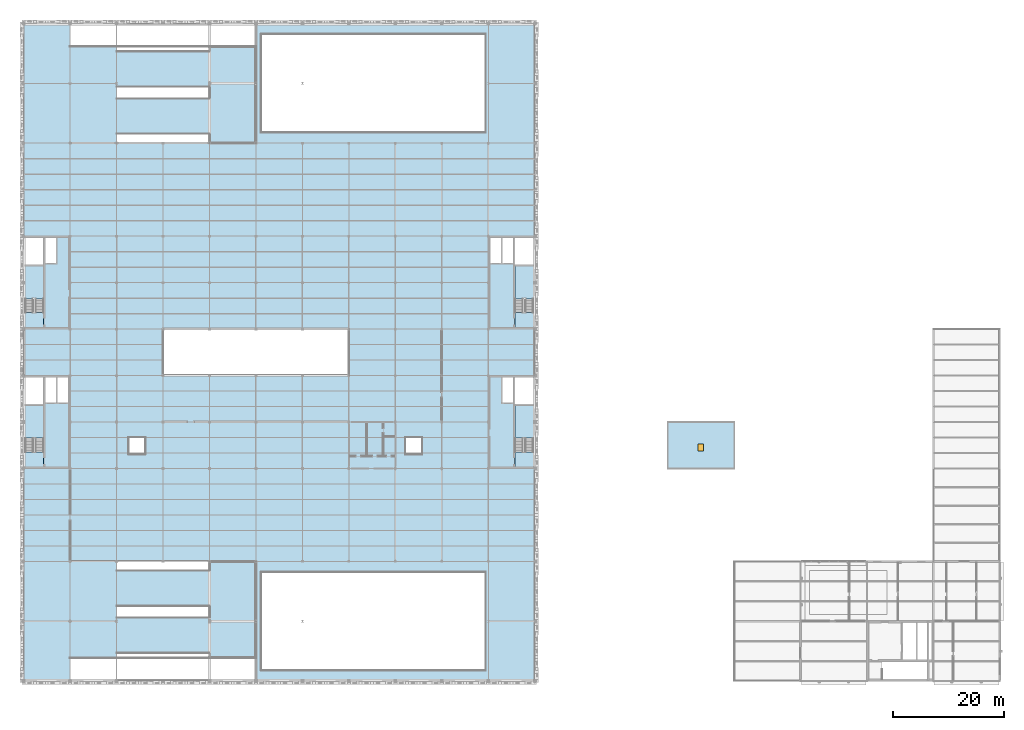
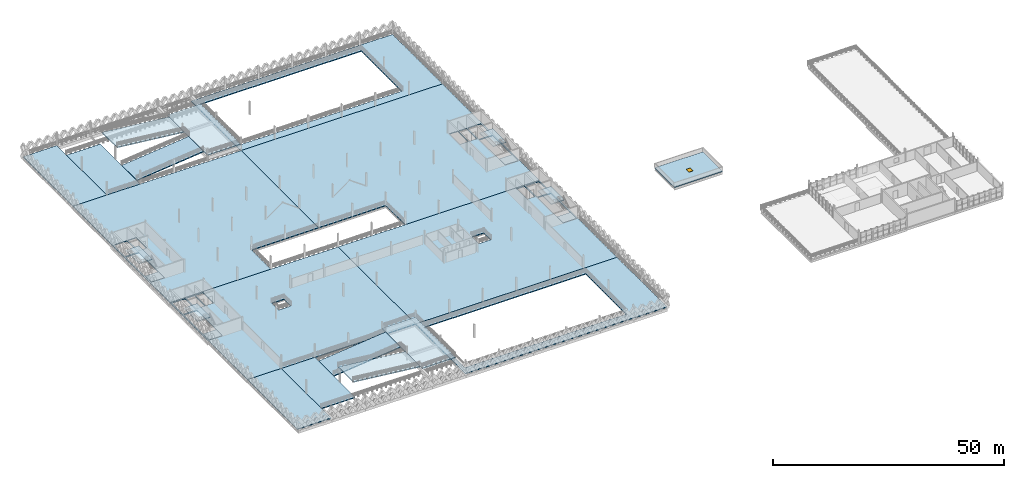
# One storey, part 38 of 62: 25 slabs, 1 door, 1 opening, 4 elements without a shape of their own.
"""IFC4 building model written with IfcOpenShell, lengths in metres."""

from ifc_helpers import new_model, si_unit, direction, frame, origin, origin_2d, place, context, subcontext, project, spatial, polyline, rectangle, outline, extrude, material, layer, layer_set, type_object, element, fill, aggregate, save


model = new_model("IFC4")

# Units and contexts
model_context = context("Model", 3, precision=1e-05, world=origin(), true_north=direction((0.0, 1.0)))
body_context = subcontext(model_context, "Body", "Model", "MODEL_VIEW")
ifc_project = project(units=[si_unit("LENGTHUNIT", "METRE"), si_unit("AREAUNIT", "SQUARE_METRE"), si_unit("VOLUMEUNIT", "CUBIC_METRE"), si_unit("PLANEANGLEUNIT", "RADIAN"), si_unit("MASSUNIT", "GRAM", prefix="KILO"), si_unit("THERMODYNAMICTEMPERATUREUNIT", "KELVIN"), si_unit("POWERUNIT", "WATT")], contexts=[model_context])

# Site, building, storey
site_placement = place(None, origin())
site = spatial("IfcSite", under=ifc_project, at=site_placement, CompositionType="ELEMENT")
building_placement = place(site_placement, origin())
building = spatial("IfcBuilding", under=site, at=building_placement, Name="Tembeka Court Mobility Hub", CompositionType="ELEMENT")
storey_placement = place(building_placement, frame((0.0, 0.0, 16.199951171875)))
storey = spatial("IfcBuildingStorey", under=building, at=storey_placement, Name="L04", CompositionType="ELEMENT", Elevation=16.199951171875)

# Slabs
ifc_material_1 = material(Name="Concrete C40/50", Category="concrete")
ifc_layer_1 = layer(ifc_material_1, 0.219970703125)
ifc_layer_set_1 = layer_set([ifc_layer_1], Name="Concrete C40/50")
slab_type_1 = type_object("IfcSlabType", Name="SL-FL02", PredefinedType="FLOOR", material=ifc_layer_set_1)
slab_1_placement = place(storey_placement, frame((0.0, 0.0, -0.219970703125)))
element("IfcSlab", 1, at=slab_1_placement, inside=storey, type_object=slab_type_1, Name="L04 ramped EV parking deck (V1SW)", PredefinedType="FLOOR", context=body_context, shape_type="SweptSolid", body=[
    extrude(outline(polyline([(0.0, 21.60009765625), (42.0, 21.60009765625), (42.0, 55.199951171875), (0.0, 55.199951171875), (0.0, 21.60009765625)]), holes=[polyline([(0.300048828125, 49.75), (3.60009765625, 49.75), (3.60009765625, 38.699951171875), (0.300048828125, 38.699951171875), (0.300048828125, 49.75)]), polyline([(3.89990234375, 54.89990234375), (5.89990234375, 54.89990234375), (5.89990234375, 50.35009765625), (3.89990234375, 50.35009765625), (3.89990234375, 54.89990234375)]), polyline([(6.10009765625, 54.89990234375), (8.10009765625, 54.89990234375), (8.10009765625, 50.35009765625), (6.10009765625, 50.35009765625), (6.10009765625, 54.89990234375)]), polyline([(0.300048828125, 54.89990234375), (3.60009765625, 54.89990234375), (3.60009765625, 50.050048828125), (0.300048828125, 50.050048828125), (0.300048828125, 54.89990234375)]), polyline([(19.0, 44.0), (22.0, 44.0), (22.0, 41.0), (19.0, 41.0), (19.0, 44.0)])]), origin(), (0.0, 0.0, 1.0), 0.219970703125),
])
slab_2_placement = place(storey_placement, frame((0.0, 0.0, -0.219970703125)))
element("IfcSlab", 2, at=slab_2_placement, inside=storey, type_object=slab_type_1, Name="L04 ramped EV parking deck (V1NW)", PredefinedType="FLOOR", context=body_context, shape_type="SweptSolid", body=[
    extrude(outline(polyline([(0.0, 55.199951171875), (25.199951171875, 55.199951171875), (25.199951171875, 63.60009765625), (42.0, 63.60009765625), (42.0, 97.199951171875), (0.0, 97.199951171875), (0.0, 55.199951171875)]), holes=[polyline([(0.300048828125, 74.949951171875), (3.60009765625, 74.949951171875), (3.60009765625, 63.89990234375), (0.300048828125, 63.89990234375), (0.300048828125, 74.949951171875)]), polyline([(3.89990234375, 80.10009765625), (5.89990234375, 80.10009765625), (5.89990234375, 75.550048828125), (3.89990234375, 75.550048828125), (3.89990234375, 80.10009765625)]), polyline([(0.300048828125, 80.10009765625), (3.60009765625, 80.10009765625), (3.60009765625, 75.25), (0.300048828125, 75.25), (0.300048828125, 80.10009765625)])]), origin(), (0.0, 0.0, 1.0), 0.219970703125),
])
slab_3_placement = place(storey_placement, frame((0.0, 0.0, -0.219970703125)))
element("IfcSlab", 3, at=slab_3_placement, inside=storey, type_object=slab_type_1, Name="L04 ramped EV parking deck (V1SE)", PredefinedType="FLOOR", context=body_context, shape_type="SweptSolid", body=[
    extrude(outline(polyline([(42.0, 21.60009765625), (92.39990234375, 21.60009765625), (92.39990234375, 55.199951171875), (42.0, 55.199951171875), (42.0, 21.60009765625)]), holes=[polyline([(88.800048828125, 49.75), (92.10009765625, 49.75), (92.10009765625, 38.699951171875), (88.800048828125, 38.699951171875), (88.800048828125, 49.75)]), polyline([(86.5, 54.89990234375), (88.5, 54.89990234375), (88.5, 50.35009765625), (86.5, 50.35009765625), (86.5, 54.89990234375)]), polyline([(88.800048828125, 54.89990234375), (92.10009765625, 54.89990234375), (92.10009765625, 50.050048828125), (88.800048828125, 50.050048828125), (88.800048828125, 54.89990234375)]), polyline([(69.0, 44.0), (72.0, 44.0), (72.0, 41.0), (69.0, 41.0), (69.0, 44.0)])]), origin(), (0.0, 0.0, 1.0), 0.219970703125),
])
slab_4_placement = place(storey_placement, frame((0.0, 0.0, -0.219970703125)))
element("IfcSlab", 4, at=slab_4_placement, inside=storey, type_object=slab_type_1, Name="L04 ramped EV parking deck (V1NE)", PredefinedType="FLOOR", context=body_context, shape_type="SweptSolid", body=[
    extrude(outline(polyline([(42.0, 63.60009765625), (58.800048828125, 63.60009765625), (58.800048828125, 55.199951171875), (92.39990234375, 55.199951171875), (92.39990234375, 97.199951171875), (42.0, 97.199951171875), (42.0, 63.60009765625)]), holes=[polyline([(88.800048828125, 74.949951171875), (92.10009765625, 74.949951171875), (92.10009765625, 63.89990234375), (88.800048828125, 63.89990234375), (88.800048828125, 74.949951171875)]), polyline([(84.300048828125, 80.10009765625), (86.300048828125, 80.10009765625), (86.300048828125, 75.550048828125), (84.300048828125, 75.550048828125), (84.300048828125, 80.10009765625)]), polyline([(86.5, 80.10009765625), (88.5, 80.10009765625), (88.5, 75.550048828125), (86.5, 75.550048828125), (86.5, 80.10009765625)]), polyline([(88.800048828125, 80.10009765625), (92.10009765625, 80.10009765625), (92.10009765625, 75.25), (88.800048828125, 75.25), (88.800048828125, 80.10009765625)])]), origin(), (0.0, 0.0, 1.0), 0.219970703125),
])
slab_5_placement = place(storey_placement, frame((0.0, 0.0, -0.219970703125)))
element("IfcSlab", 5, at=slab_5_placement, inside=storey, type_object=slab_type_1, Name="L04 South-West ramp perimeter deck", PredefinedType="FLOOR", context=body_context, shape_type="SweptSolid", body=[
    extrude(outline(polyline([(0.0, 0.0), (8.39990234375, 0.0), (8.39990234375, 21.60009765625), (0.0, 21.60009765625), (0.0, 0.0)])), origin(), (0.0, 0.0, 1.0), 0.219970703125),
])
slab_6_placement = place(storey_placement, frame((0.0, 0.0, -0.219970703125)))
element("IfcSlab", 6, at=slab_6_placement, inside=storey, type_object=slab_type_1, Name="L04 North-West ramp perimeter deck", PredefinedType="FLOOR", context=body_context, shape_type="SweptSolid", body=[
    extrude(outline(polyline([(0.0, 97.199951171875), (8.39990234375, 97.199951171875), (8.39990234375, 118.800048828125), (0.0, 118.800048828125), (0.0, 97.199951171875)])), origin(), (0.0, 0.0, 1.0), 0.219970703125),
])
slab_7_placement = place(storey_placement, frame((0.0, 0.0, -0.219970703125)))
element("IfcSlab", 7, at=slab_7_placement, inside=storey, type_object=slab_type_1, Name="L04 South-East EV deck", PredefinedType="FLOOR", context=body_context, shape_type="SweptSolid", body=[
    extrude(outline(polyline([(42.0, 0.0), (92.39990234375, 0.0), (92.39990234375, 21.60009765625), (42.0, 21.60009765625), (42.0, 0.0)]), holes=[polyline([(43.0, 19.60009765625), (83.39990234375, 19.60009765625), (83.39990234375, 2.0), (43.0, 2.0), (43.0, 19.60009765625)])]), origin(), (0.0, 0.0, 1.0), 0.219970703125),
])
slab_8_placement = place(storey_placement, frame((0.0, 0.0, -0.219970703125)))
element("IfcSlab", 8, at=slab_8_placement, inside=storey, type_object=slab_type_1, Name="L04 North-East EV deck", PredefinedType="FLOOR", context=body_context, shape_type="SweptSolid", body=[
    extrude(outline(polyline([(42.0, 97.199951171875), (92.39990234375, 97.199951171875), (92.39990234375, 118.800048828125), (42.0, 118.800048828125), (42.0, 97.199951171875)]), holes=[polyline([(43.0, 116.800048828125), (83.39990234375, 116.800048828125), (83.39990234375, 99.199951171875), (43.0, 99.199951171875), (43.0, 116.800048828125)])]), origin(), (0.0, 0.0, 1.0), 0.219970703125),
])
ifc_layer_2 = layer(ifc_material_1, 0.199951171875)
ifc_layer_set_2 = layer_set([ifc_layer_2], Name="Concrete C40/50")
slab_type_2 = type_object("IfcSlabType", Name="SL-LD01", PredefinedType="LANDING", material=ifc_layer_set_2)
slab_9_placement = place(storey_placement, frame((0.0, 0.0, -0.25)))
element("IfcSlab", 9, at=slab_9_placement, inside=storey, type_object=slab_type_2, Name="Car park vehicle ramp North R1 L04 west landing", PredefinedType="LANDING", context=body_context, shape_type="SweptSolid", body=[
    extrude(outline(polyline([(8.39990234375, 97.199951171875), (16.800048828125, 97.199951171875), (16.800048828125, 114.60009765625), (8.39990234375, 114.60009765625), (8.39990234375, 97.199951171875)])), origin(), (0.0, 0.0, 1.0), 0.25),
])
slab_10_placement = place(storey_placement, frame((0.0, 0.0, 1.550048828125)))
element("IfcSlab", 10, at=slab_10_placement, inside=storey, type_object=slab_type_2, Name="Car park vehicle ramp North R1 L04 half landing", PredefinedType="LANDING", context=body_context, shape_type="SweptSolid", body=[
    extrude(outline(polyline([(33.60009765625, 97.199951171875), (42.0, 97.199951171875), (42.0, 114.60009765625), (33.60009765625, 114.60009765625), (33.60009765625, 97.199951171875)])), origin(), (0.0, 0.0, 1.0), 0.25),
])
slab_11_placement = place(storey_placement, frame((0.0, 0.0, -0.25)))
element("IfcSlab", 11, at=slab_11_placement, inside=storey, type_object=slab_type_2, Name="Car park vehicle ramp South R2 L04 west landing", PredefinedType="LANDING", context=body_context, shape_type="SweptSolid", body=[
    extrude(outline(polyline([(8.39990234375, 4.199951171875), (16.800048828125, 4.199951171875), (16.800048828125, 21.60009765625), (8.39990234375, 21.60009765625), (8.39990234375, 4.199951171875)])), origin(), (0.0, 0.0, 1.0), 0.25),
])
slab_12_placement = place(storey_placement, frame((0.0, 0.0, 1.550048828125)))
element("IfcSlab", 12, at=slab_12_placement, inside=storey, type_object=slab_type_2, Name="Car park vehicle ramp South R2 L04 half landing", PredefinedType="LANDING", context=body_context, shape_type="SweptSolid", body=[
    extrude(outline(polyline([(33.60009765625, 4.199951171875), (42.0, 4.199951171875), (42.0, 21.60009765625), (33.60009765625, 21.60009765625), (33.60009765625, 4.199951171875)])), origin(), (0.0, 0.0, 1.0), 0.25),
])
slab_13_placement = place(storey_placement, frame((0.0, 0.0, -0.25)))
element("IfcSlab", 13, at=slab_13_placement, inside=storey, type_object=slab_type_2, Name="Stair ST01 L04 floor landing slab", PredefinedType="LANDING", context=body_context, shape_type="SweptSolid", body=[
    extrude(outline(polyline([(0.300048828125, 38.699951171875), (3.60009765625, 38.699951171875), (3.60009765625, 41.35009765625), (0.300048828125, 41.35009765625), (0.300048828125, 38.699951171875)])), origin(), (0.0, 0.0, 1.0), 0.25),
])

# Stair, slab
stair_type_1 = type_object("IfcStairType", Name="STR-ST01L04", PredefinedType="HALF_TURN_STAIR", material=ifc_material_1)
stair_1_placement = place(storey_placement, origin())
stair_1 = element("IfcStair", 14, at=stair_1_placement, inside=storey, type_object=stair_type_1, Name="Protected exit stair ST01 (L04)", PredefinedType="HALF_TURN_STAIR")
slab_14_placement = place(storey_placement, frame((0.0, 0.0, 1.60009765625)))
slab_14 = element("IfcSlab", 15, at=slab_14_placement, type_object=slab_type_2, Name="ST01L04 landing 1", PredefinedType="LANDING", context=body_context, shape_type="SweptSolid", body=[
    extrude(outline(polyline([(3.60009765625, 43.8701171875), (3.60009765625, 49.75), (0.300048828125, 49.75), (0.300048828125, 43.8701171875), (3.60009765625, 43.8701171875)])), origin(), (0.0, 0.0, 1.0), 0.199951171875),
])
aggregate(stair_1, [slab_14])

# Slab
slab_15_placement = place(storey_placement, frame((0.0, 0.0, -0.25)))
element("IfcSlab", 16, at=slab_15_placement, inside=storey, type_object=slab_type_2, Name="Stair ST02 L04 floor landing slab", PredefinedType="LANDING", context=body_context, shape_type="SweptSolid", body=[
    extrude(outline(polyline([(88.800048828125, 63.89990234375), (92.10009765625, 63.89990234375), (92.10009765625, 66.550048828125), (88.800048828125, 66.550048828125), (88.800048828125, 63.89990234375)])), origin(), (0.0, 0.0, 1.0), 0.25),
])

# Stair, slab
stair_type_2 = type_object("IfcStairType", Name="STR-ST02L04", PredefinedType="HALF_TURN_STAIR", material=ifc_material_1)
stair_2_placement = place(storey_placement, origin())
stair_2 = element("IfcStair", 17, at=stair_2_placement, inside=storey, type_object=stair_type_2, Name="Protected exit stair ST02 (L04)", PredefinedType="HALF_TURN_STAIR")
slab_16_placement = place(storey_placement, frame((0.0, 0.0, 1.60009765625)))
slab_16 = element("IfcSlab", 18, at=slab_16_placement, type_object=slab_type_2, Name="ST02L04 landing 1", PredefinedType="LANDING", context=body_context, shape_type="SweptSolid", body=[
    extrude(outline(polyline([(92.10009765625, 69.070068359375), (92.10009765625, 74.949951171875), (88.800048828125, 74.949951171875), (88.800048828125, 69.070068359375), (92.10009765625, 69.070068359375)])), origin(), (0.0, 0.0, 1.0), 0.199951171875),
])
aggregate(stair_2, [slab_16])

# Slab
slab_17_placement = place(storey_placement, frame((0.0, 0.0, -0.25)))
element("IfcSlab", 19, at=slab_17_placement, inside=storey, type_object=slab_type_2, Name="Stair ST03 L04 floor landing slab", PredefinedType="LANDING", context=body_context, shape_type="SweptSolid", body=[
    extrude(outline(polyline([(0.300048828125, 63.89990234375), (3.60009765625, 63.89990234375), (3.60009765625, 66.550048828125), (0.300048828125, 66.550048828125), (0.300048828125, 63.89990234375)])), origin(), (0.0, 0.0, 1.0), 0.25),
])

# Stair, slab
stair_type_3 = type_object("IfcStairType", Name="STR-ST03L04", PredefinedType="HALF_TURN_STAIR", material=ifc_material_1)
stair_3_placement = place(storey_placement, origin())
stair_3 = element("IfcStair", 20, at=stair_3_placement, inside=storey, type_object=stair_type_3, Name="Protected exit stair ST03 (L04)", PredefinedType="HALF_TURN_STAIR")
slab_18_placement = place(storey_placement, frame((0.0, 0.0, 1.60009765625)))
slab_18 = element("IfcSlab", 21, at=slab_18_placement, type_object=slab_type_2, Name="ST03L04 landing 1", PredefinedType="LANDING", context=body_context, shape_type="SweptSolid", body=[
    extrude(outline(polyline([(3.60009765625, 69.070068359375), (3.60009765625, 74.949951171875), (0.300048828125, 74.949951171875), (0.300048828125, 69.070068359375), (3.60009765625, 69.070068359375)])), origin(), (0.0, 0.0, 1.0), 0.199951171875),
])
aggregate(stair_3, [slab_18])

# Slab
slab_19_placement = place(storey_placement, frame((0.0, 0.0, -0.25)))
element("IfcSlab", 22, at=slab_19_placement, inside=storey, type_object=slab_type_2, Name="Stair ST04 L04 floor landing slab", PredefinedType="LANDING", context=body_context, shape_type="SweptSolid", body=[
    extrude(outline(polyline([(88.800048828125, 38.699951171875), (92.10009765625, 38.699951171875), (92.10009765625, 41.35009765625), (88.800048828125, 41.35009765625), (88.800048828125, 38.699951171875)])), origin(), (0.0, 0.0, 1.0), 0.25),
])

# Stair, slab
stair_type_4 = type_object("IfcStairType", Name="STR-ST04L04", PredefinedType="HALF_TURN_STAIR", material=ifc_material_1)
stair_4_placement = place(storey_placement, origin())
stair_4 = element("IfcStair", 23, at=stair_4_placement, inside=storey, type_object=stair_type_4, Name="Protected exit stair ST04 (L04)", PredefinedType="HALF_TURN_STAIR")
slab_20_placement = place(storey_placement, frame((0.0, 0.0, 1.60009765625)))
slab_20 = element("IfcSlab", 24, at=slab_20_placement, type_object=slab_type_2, Name="ST04L04 landing 1", PredefinedType="LANDING", context=body_context, shape_type="SweptSolid", body=[
    extrude(outline(polyline([(92.10009765625, 43.8701171875), (92.10009765625, 49.75), (88.800048828125, 49.75), (88.800048828125, 43.8701171875), (92.10009765625, 43.8701171875)])), origin(), (0.0, 0.0, 1.0), 0.199951171875),
])
aggregate(stair_4, [slab_20])

# Slab, opening, door
ifc_layer_3 = layer(ifc_material_1, 0.22998046875)
ifc_layer_set_3 = layer_set([ifc_layer_3], Name="Concrete C40/50")
slab_type_3 = type_object("IfcSlabType", Name="SL-RF01", PredefinedType="ROOF", material=ifc_layer_set_3)
slab_21_placement = place(storey_placement, frame((0.0, 0.0, -0.22998046875)))
slab_21 = element("IfcSlab", 25, at=slab_21_placement, inside=storey, type_object=slab_type_3, Name="L04 Core K5 overrun roof slab", PredefinedType="ROOF", context=body_context, shape_type="SweptSolid", body=[
    extrude(outline(polyline([(116.39990234375, 38.39990234375), (128.39990234375, 38.39990234375), (128.39990234375, 46.800048828125), (116.39990234375, 46.800048828125), (116.39990234375, 38.39990234375)])), origin(), (0.0, 0.0, 1.0), 0.22998046875),
])
opening_placement = place(slab_21_placement, frame((122.39990234375, 42.199951171875, -0.010009765625)))
opening = element("IfcOpeningElement", 26, at=opening_placement, cuts=slab_21, Name="Opening HD01", PredefinedType="OPENING", context=body_context, shape_type="SweptSolid", body=[
    extrude(rectangle(XDim=1.0, YDim=1.199951171875, at=origin_2d()), origin(), (0.0, 0.0, 1.0), 0.320068359375),
])
ifc_material_2 = material(Name="Powder-coated aluminium glazed doorset", Category="aluminium")
door_type = type_object("IfcDoorType", Name="DR-HD01", OperationType="SINGLE_SWING_LEFT", PredefinedType="TRAPDOOR", material=ifc_material_2)
door_placement = place(opening_placement, frame((0.0, 0.0, 0.239990234375)))
door = element("IfcDoor", 27, at=door_placement, inside=storey, type_object=door_type, Name="Roof maintenance access hatch HD01-02", OperationType="SINGLE_SWING_LEFT", OverallHeight=1.199951171875, OverallWidth=1.0, PredefinedType="TRAPDOOR", context=body_context, shape_type="SweptSolid", body=[
    extrude(rectangle(XDim=1.0, YDim=1.199951171875, at=origin_2d()), origin(), (0.0, 0.0, 1.0), 0.06005859375),
])
fill(opening, door)

# Slabs
ifc_layer_4 = layer(ifc_material_1, 0.235107421875)
ifc_layer_set_4 = layer_set([ifc_layer_4], Name="Concrete C40/50")
slab_type_4 = type_object("IfcSlabType", Name="SL-RP01", PredefinedType="FLOOR", material=ifc_layer_set_4)
slab_22_placement = place(storey_placement, frame((16.840087890625, 98.800048828125, 0.0), z_axis=(-0.107040081036, 0.0, 0.994254706326), x_axis=(0.994254706326, 0.0, 0.107040081036)))
element("IfcSlab", 28, at=slab_22_placement, inside=storey, type_object=slab_type_4, Name="Car park vehicle ramp North R1 L04 structural ramp slab 1", PredefinedType="FLOOR", context=body_context, shape_type="SweptSolid", body=[
    extrude(outline(polyline([(0.0, 0.0), (16.816586933649543, 0.0), (16.816586933649543, 6.5), (0.0, 6.5), (0.0, 0.0)])), origin(), (0.0, 0.0, -1.0), 0.235107421875),
])
slab_23_placement = place(storey_placement, frame((33.56005859375, 107.300048828125, 1.800048828125), z_axis=(0.107040081036, 0.0, 0.994254706326), x_axis=(-0.994254706326, 0.0, 0.107040081036)))
element("IfcSlab", 29, at=slab_23_placement, inside=storey, type_object=slab_type_4, Name="Car park vehicle ramp North R1 L04 structural ramp slab 2", PredefinedType="FLOOR", context=body_context, shape_type="SweptSolid", body=[
    extrude(outline(polyline([(0.0, 0.0), (16.816586933649543, 0.0), (16.816586933649543, -6.5), (0.0, -6.5), (0.0, 0.0)])), origin(), (0.0, 0.0, -1.0), 0.235107421875),
])
slab_24_placement = place(storey_placement, frame((16.840087890625, 13.5, 0.0), z_axis=(-0.107040081036, 0.0, 0.994254706326), x_axis=(0.994254706326, 0.0, 0.107040081036)))
element("IfcSlab", 30, at=slab_24_placement, inside=storey, type_object=slab_type_4, Name="Car park vehicle ramp South R2 L04 structural ramp slab 1", PredefinedType="FLOOR", context=body_context, shape_type="SweptSolid", body=[
    extrude(outline(polyline([(0.0, 0.0), (16.816586933649543, 0.0), (16.816586933649543, 6.5), (0.0, 6.5), (0.0, 0.0)])), origin(), (0.0, 0.0, -1.0), 0.235107421875),
])
slab_25_placement = place(storey_placement, frame((33.56005859375, 5.0, 1.800048828125), z_axis=(0.107040081036, 0.0, 0.994254706326), x_axis=(-0.994254706326, 0.0, 0.107040081036)))
element("IfcSlab", 31, at=slab_25_placement, inside=storey, type_object=slab_type_4, Name="Car park vehicle ramp South R2 L04 structural ramp slab 2", PredefinedType="FLOOR", context=body_context, shape_type="SweptSolid", body=[
    extrude(outline(polyline([(0.0, 0.0), (16.816586933649543, 0.0), (16.816586933649543, -6.5), (0.0, -6.5), (0.0, 0.0)])), origin(), (0.0, 0.0, -1.0), 0.235107421875),
])

save(model, "model.ifc")
